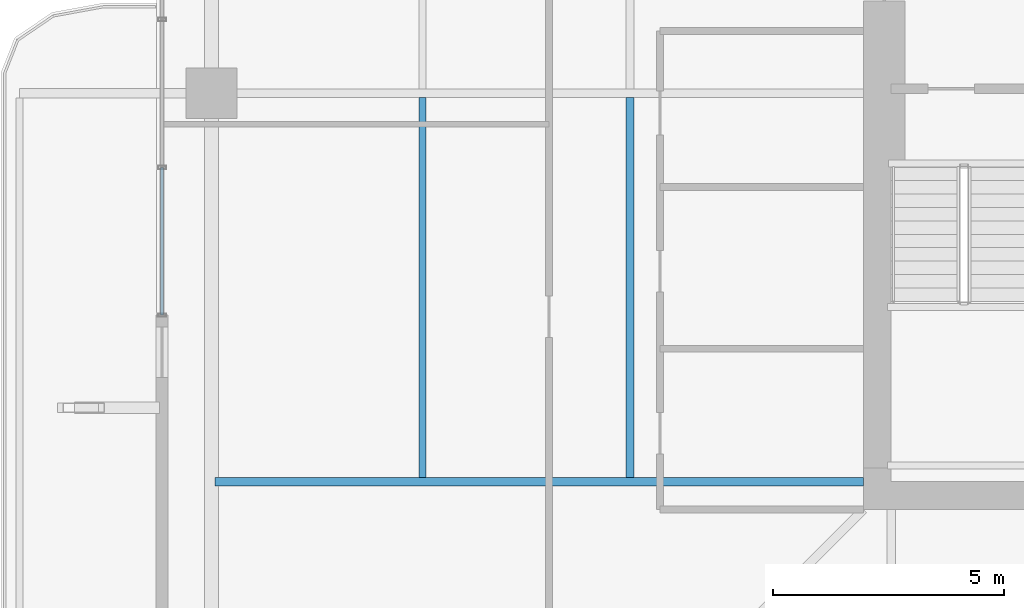
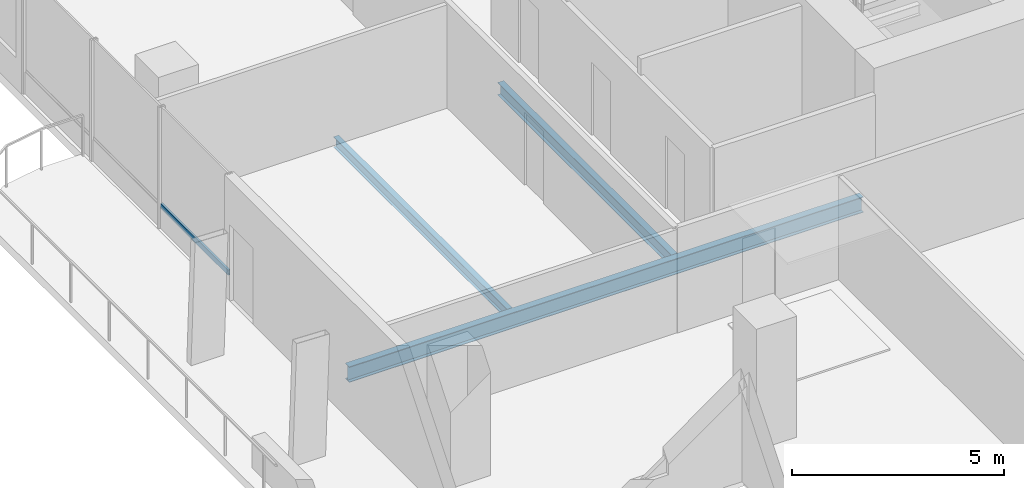
# One storey, part 5 of 24: 3 beams, 1 member, 1 element without a shape of its own.
"""IFC4 building model written with IfcOpenShell, lengths in metres."""

from ifc_helpers import new_model, si_unit, direction, frame, origin, origin_2d, place, context, subcontext, project, spatial, hollow_rectangle, i_section, extrude, material, layer, layer_set, material_profile, profile_set, type_object, element, aggregate, save


model = new_model("IFC4")

# Units and contexts
model_context = context("Model", 3, precision=1e-05, world=origin(), true_north=direction((0.0, 1.0)))
body_context = subcontext(model_context, "Body", "Model", "MODEL_VIEW")
ifc_project = project(units=[si_unit("LENGTHUNIT", "METRE"), si_unit("AREAUNIT", "SQUARE_METRE"), si_unit("VOLUMEUNIT", "CUBIC_METRE"), si_unit("PLANEANGLEUNIT", "RADIAN"), si_unit("MASSUNIT", "GRAM", prefix="KILO")], contexts=[model_context])

# Site, building, storey
site_placement = place(None, origin())
site = spatial("IfcSite", under=ifc_project, at=site_placement, CompositionType="ELEMENT")
building_placement = place(site_placement, origin())
building = spatial("IfcBuilding", under=site, at=building_placement, Name="Belovzor Exchange Tower", CompositionType="ELEMENT")
storey_placement = place(building_placement, frame((0.0, 0.0, 145.800048828125)))
storey = spatial("IfcBuildingStorey", under=building, at=storey_placement, Name="L35", CompositionType="ELEMENT", Elevation=145.800048828125)

# Beams
ifc_material_1 = material(Name="Steel S355", Category="steel")
ifc_material_profile_1 = material_profile(ifc_material_1, i_section(OverallWidth=0.169921875, OverallDepth=0.360107421875, WebThickness=0.008056640625, FlangeThickness=0.0126953125, at=origin_2d()))
ifc_profile_set_1 = profile_set([ifc_material_profile_1], Name="Steel S355")
beam_type_1 = type_object("IfcBeamType", Name="Secondary Infill Floor Joist IPE 360", PredefinedType="BEAM", material=ifc_profile_set_1)
beam_1_placement = place(storey_placement, frame((14.7509765625, 20.4951171875, -0.43505859375), z_axis=(0.0, 1.0, 0.0), x_axis=(-1.0, 0.0, 0.0)))
element("IfcBeam", 1, at=beam_1_placement, inside=storey, type_object=beam_type_1, Name="FJ-360 Secondary Infill Floor Joist IPE 360", PredefinedType="BEAM", context=body_context, shape_type="SweptSolid", body=[
    extrude(i_section(OverallWidth=0.169921875, OverallDepth=0.360107421875, WebThickness=0.008056640625, FlangeThickness=0.0126953125, at=origin_2d()), origin(), (0.0, 0.0, 1.0), 8.2099609375),
])
ifc_material_2 = material(Name="Steel S355", Category="steel")
ifc_material_profile_2 = material_profile(ifc_material_2, i_section(OverallWidth=0.14990234375, OverallDepth=0.300048828125, WebThickness=0.007080078125, FlangeThickness=0.0107421875, at=origin_2d()))
ifc_profile_set_2 = profile_set([ifc_material_profile_2], Name="Steel S355")
beam_type_2 = type_object("IfcBeamType", Name="Secondary Trim Floor Joist IPE 300", PredefinedType="BEAM", material=ifc_profile_set_2)
beam_2_placement = place(storey_placement, frame((10.262939453125, 20.4951171875, -0.405029296875), z_axis=(0.0, 1.0, 0.0), x_axis=(-1.0, 0.0, 0.0)))
element("IfcBeam", 2, at=beam_2_placement, inside=storey, type_object=beam_type_2, Name="FJ-300 Secondary Trim Floor Joist IPE 300", PredefinedType="BEAM", context=body_context, shape_type="SweptSolid", body=[
    extrude(i_section(OverallWidth=0.14990234375, OverallDepth=0.300048828125, WebThickness=0.007080078125, FlangeThickness=0.0107421875, at=origin_2d()), origin(), (0.0, 0.0, 1.0), 8.2099609375),
])

# Curtain wall, member
ifc_material_3 = material(Name="Anodised Aluminium Framing", Category="aluminium")
ifc_layer = layer(ifc_material_3, 0.179931640625)
ifc_layer_set = layer_set([ifc_layer], Name="Anodised Aluminium Framing")
curtain_wall_type = type_object("IfcCurtainWallType", Name="Recessed Loggia Low-Iron Triple-Glazed Curtain Wall", PredefinedType="NOTDEFINED", material=ifc_layer_set)
curtain_wall_placement = place(storey_placement, origin())
curtain_wall = element("IfcCurtainWall", 3, at=curtain_wall_placement, inside=storey, type_object=curtain_wall_type, Name="CW3 Recessed Loggia Low-Iron Triple-Glazed Curtain Wall L35", PredefinedType="NOTDEFINED")
ifc_material_4 = material(Name="Steel S355", Category="steel")
ifc_material_profile_3 = material_profile(ifc_material_4, hollow_rectangle(XDim=0.06005859375, YDim=0.14990234375, WallThickness=0.00390625, at=origin_2d()))
ifc_profile_set_3 = profile_set([ifc_material_profile_3], Name="Steel S355")
member_type = type_object("IfcMemberType", Name="Thermally Broken Curtain Wall Transom 150x60", PredefinedType="USERDEFINED", material=ifc_profile_set_3)
member_placement = place(storey_placement, frame((4.6298828125, 24.008056640625, 0.62890625), z_axis=(0.0, 1.0, 0.0), x_axis=(-1.0, 0.0, 0.0)))
member = element("IfcMember", 4, at=member_placement, type_object=member_type, Name="CW-T150 Curtain Wall Transom 1", ObjectType="TRANSOM", PredefinedType="USERDEFINED", context=body_context, shape_type="SweptSolid", body=[
    extrude(hollow_rectangle(XDim=0.06005859375, YDim=0.14990234375, WallThickness=0.00390625, at=origin_2d()), origin(), (0.0, 0.0, 1.0), 3.183837890625),
])
aggregate(curtain_wall, [member])

# Beam
ifc_material_5 = material(Name="Steel S355", Category="steel")
ifc_material_profile_4 = material_profile(ifc_material_5, i_section(OverallWidth=0.18994140625, OverallDepth=0.449951171875, WebThickness=0.009521484375, FlangeThickness=0.0146484375, at=origin_2d()))
ifc_profile_set_4 = profile_set([ifc_material_profile_4], Name="Steel S355")
beam_type_3 = type_object("IfcBeamType", Name="Zone 2-4 Radial Composite Floor Beam IPE 450", PredefinedType="BEAM", material=ifc_profile_set_4)
beam_3_placement = place(storey_placement, frame((19.800048828125, 20.39990234375, -0.47998046875), z_axis=(-1.0, 0.0, 0.0), x_axis=(0.0, -1.0, 0.0)))
element("IfcBeam", 5, at=beam_3_placement, inside=storey, type_object=beam_type_3, Name="FB-450 Zone 2-4 Radial Composite Floor Beam IPE 450", PredefinedType="BEAM", context=body_context, shape_type="SweptSolid", body=[
    extrude(i_section(OverallWidth=0.18994140625, OverallDepth=0.449951171875, WebThickness=0.009521484375, FlangeThickness=0.0146484375, at=origin_2d()), origin(), (0.0, 0.0, 1.0), 14.025146484375),
])

save(model, "model.ifc")
